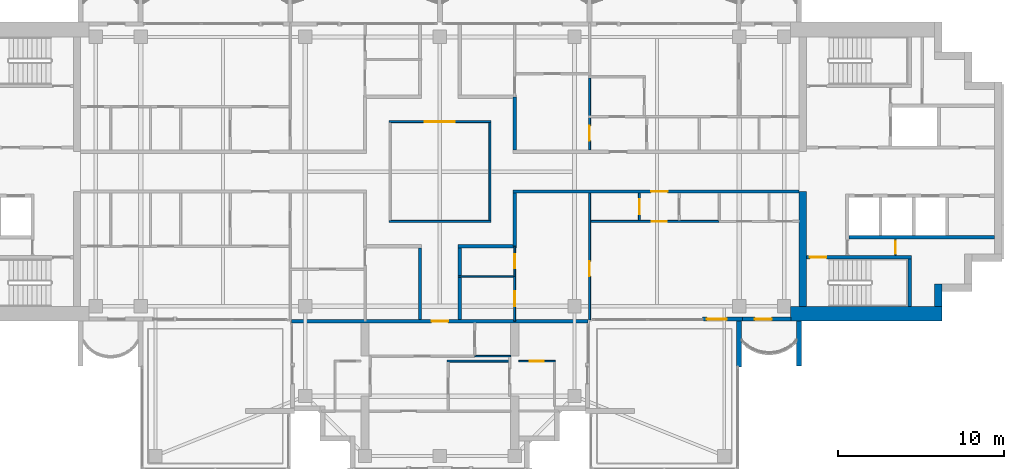
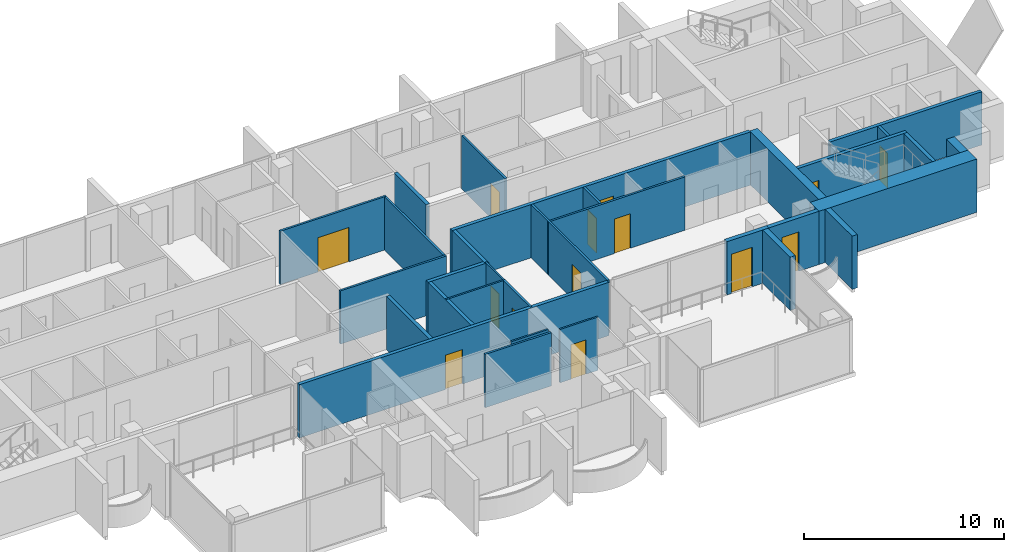
# One storey, part 10 of 17: 31 walls, 14 doors, 14 openings.
"""IFC4 building model written with IfcOpenShell, lengths in metres."""

from ifc_helpers import new_model, si_unit, direction, frame, frame_2d, origin, place, context, subcontext, project, spatial, rectangle, extrude, material, layer, layer_set, type_object, element, fill, save


model = new_model("IFC4")

# Units and contexts
model_context = context("Model", 3, precision=1e-05, world=origin(), true_north=direction((0.0, 1.0)))
body_context = subcontext(model_context, "Body", "Model", "MODEL_VIEW")
ifc_project = project(units=[si_unit("LENGTHUNIT", "METRE"), si_unit("AREAUNIT", "SQUARE_METRE"), si_unit("VOLUMEUNIT", "CUBIC_METRE"), si_unit("PLANEANGLEUNIT", "RADIAN"), si_unit("MASSUNIT", "GRAM", prefix="KILO")], contexts=[model_context])

# Site, building, storey
site_placement = place(None, origin())
site = spatial("IfcSite", under=ifc_project, at=site_placement, CompositionType="ELEMENT")
building_placement = place(site_placement, origin())
building = spatial("IfcBuilding", under=site, at=building_placement, Name="Perihelion Cross Residences", CompositionType="ELEMENT")
storey_placement = place(building_placement, frame((0.0, 0.0, 278.0)))
storey = spatial("IfcBuildingStorey", under=building, at=storey_placement, Name="L71", CompositionType="ELEMENT", Elevation=278.0)

# Wall
ifc_material_1 = material(Name="Plasterboard partition")
ifc_layer_1 = layer(ifc_material_1, 0.199951171875)
ifc_layer_set_1 = layer_set([ifc_layer_1], Name="Apartment separation wall 200")
wall_type_1 = type_object("IfcWallType", Name="Apartment separation wall 200", PredefinedType="PARTITIONING", material=ifc_layer_set_1)
wall_1_placement = place(storey_placement, frame((4.5, 4.5, 0.0), z_axis=(0.0, 0.0, 1.0), x_axis=(0.0, -1.0, 0.0)))
element("IfcWall", 1, at=wall_1_placement, inside=storey, type_object=wall_type_1, Name="Partition L71 W006", PredefinedType="PARTITIONING", context=body_context, shape_type="SweptSolid", body=[
    extrude(rectangle(XDim=3.199951171875, YDim=0.199951171875, at=frame_2d((1.60009765625, 0.0))), origin(), (0.0, 0.0, 1.0), 3.25),
])

# Wall, opening, door
wall_2_placement = place(storey_placement, frame((21.60009765625, -1.199951171875, 0.0), z_axis=(0.0, 0.0, 1.0), x_axis=(-1.0, 0.0, 0.0)))
wall_2 = element("IfcWall", 2, at=wall_2_placement, inside=storey, type_object=wall_type_1, Name="Partition L71 W009", PredefinedType="PARTITIONING", context=body_context, shape_type="SweptSolid", body=[
    extrude(rectangle(XDim=17.2001953125, YDim=0.199951171875, at=frame_2d((8.60009765625, 0.0))), origin(), (0.0, 0.0, 1.0), 3.25),
])
opening_1_placement = place(wall_2_placement, frame((7.89990234375, 0.0, 0.0)))
opening_1 = element("IfcOpeningElement", 3, at=opening_1_placement, cuts=wall_2, Name="Opening L71.A43", PredefinedType="OPENING", context=body_context, shape_type="SweptSolid", body=[
    extrude(rectangle(XDim=1.0, YDim=2.10009765625, at=frame_2d((0.5, 1.050048828125))), frame((0.0, 0.10986328125, 0.0), z_axis=(0.0, -1.0, 0.0), x_axis=(1.0, 0.0, 0.0)), (0.0, 0.0, 1.0), 0.219970703125),
])
ifc_material_2 = material(Name="Timber door leaf", Category="wood")
door_type_1 = type_object("IfcDoorType", Name="Flat entrance door 1000 x 2100", OperationType="SINGLE_SWING_LEFT", PredefinedType="DOOR", material=ifc_material_2)
door_1_placement = place(opening_1_placement, origin())
door_1 = element("IfcDoor", 4, at=door_1_placement, inside=storey, type_object=door_type_1, Name="Door L71.A43", OperationType="SINGLE_SWING_LEFT", OverallHeight=2.10009765625, OverallWidth=1.0, PredefinedType="DOOR", context=body_context, shape_type="SweptSolid", body=[
    extrude(rectangle(XDim=1.0, YDim=2.10009765625, at=frame_2d((0.5, 1.050048828125))), frame((0.0, 0.02490234375, 0.0), z_axis=(0.0, -1.0, 0.0), x_axis=(1.0, 0.0, 0.0)), (0.0, 0.0, 1.0), 0.050048828125),
])
fill(opening_1, door_1)

# Walls
wall_3_placement = place(storey_placement, frame((4.5, -1.300048828125, 0.0), z_axis=(0.0, 0.0, 1.0), x_axis=(0.0, -1.0, 0.0)))
element("IfcWall", 5, at=wall_3_placement, inside=storey, type_object=wall_type_1, Name="Partition L71 W010", PredefinedType="PARTITIONING", context=body_context, shape_type="SweptSolid", body=[
    extrude(rectangle(XDim=3.199951171875, YDim=0.199951171875, at=frame_2d((1.60009765625, 0.0))), origin(), (0.0, 0.0, 1.0), 3.25),
])
wall_4_placement = place(storey_placement, frame((4.60009765625, -4.5, 0.0), z_axis=(0.0, 0.0, 1.0), x_axis=(-1.0, 0.0, 0.0)))
element("IfcWall", 6, at=wall_4_placement, inside=storey, type_object=wall_type_1, Name="Partition L71 W011", PredefinedType="PARTITIONING", context=body_context, shape_type="SweptSolid", body=[
    extrude(rectangle(XDim=3.5, YDim=0.199951171875, at=frame_2d((1.75, 0.0))), origin(), (0.0, 0.0, 1.0), 3.25),
])
for number, where, z_axis, x_axis, name in (
    (7, (1.199951171875, -4.60009765625, 0.0), (0.0, 0.0, 1.0), (0.0, -1.0, 0.0), "Partition L71 W012"),
    (8, (-1.199951171875, -8.89990234375, 0.0), (0.0, 0.0, 1.0), (0.0, 1.0, 0.0), "Partition L71 W019"),
):
    element("IfcWall", number, at=place(storey_placement, frame(where, z_axis=z_axis, x_axis=x_axis)), inside=storey, type_object=wall_type_1, Name=name, PredefinedType="PARTITIONING", context=body_context, shape_type="SweptSolid", body=[
        extrude(rectangle(XDim=4.2998046875, YDim=0.199951171875, at=frame_2d((2.14990234375, 0.0))), origin(), (0.0, 0.0, 1.0), 3.25),
    ])

# Wall, opening, door
wall_5_placement = place(storey_placement, frame((8.919921875, -9.0, 0.0), z_axis=(0.0, 0.0, 1.0), x_axis=(-1.0, 0.0, 0.0)))
wall_5 = element("IfcWall", 9, at=wall_5_placement, inside=storey, type_object=wall_type_1, Name="Partition L71 W021", PredefinedType="PARTITIONING", context=body_context, shape_type="SweptSolid", body=[
    extrude(rectangle(XDim=17.83984375, YDim=0.199951171875, at=frame_2d((8.919921875, 0.0))), origin(), (0.0, 0.0, 1.0), 3.25),
])
opening_2_placement = place(wall_5_placement, frame((8.419921875, 0.0, 0.0)))
opening_2 = element("IfcOpeningElement", 10, at=opening_2_placement, cuts=wall_5, Name="Opening L71.A35", PredefinedType="OPENING", context=body_context, shape_type="SweptSolid", body=[
    extrude(rectangle(XDim=1.0, YDim=2.10009765625, at=frame_2d((0.5, 1.050048828125))), frame((0.0, 0.10986328125, 0.0), z_axis=(0.0, -1.0, 0.0), x_axis=(1.0, 0.0, 0.0)), (0.0, 0.0, 1.0), 0.219970703125),
])
door_2_placement = place(opening_2_placement, origin())
door_2 = element("IfcDoor", 11, at=door_2_placement, inside=storey, type_object=door_type_1, Name="Door L71.A35", OperationType="SINGLE_SWING_LEFT", OverallHeight=2.10009765625, OverallWidth=1.0, PredefinedType="DOOR", context=body_context, shape_type="SweptSolid", body=[
    extrude(rectangle(XDim=1.0, YDim=2.10009765625, at=frame_2d((0.5, 1.050048828125))), frame((0.0, 0.02490234375, 0.0), z_axis=(0.0, -1.0, 0.0), x_axis=(1.0, 0.0, 0.0)), (0.0, 0.0, 1.0), 0.050048828125),
])
fill(opening_2, door_2)

ifc_material_3 = material(Name="Concrete C30/37, bronze-clad", Category="concrete")
ifc_layer_2 = layer(ifc_material_3, 0.25)
ifc_layer_set_2 = layer_set([ifc_layer_2], Name="Bronze-clad pier wall 250")
wall_type_2 = type_object("IfcWallType", Name="Bronze-clad pier wall 250", PredefinedType="SOLIDWALL", material=ifc_layer_set_2)
wall_6_placement = place(storey_placement, frame((15.800048828125, -8.875, 0.0), z_axis=(0.0, 0.0, 1.0), x_axis=(1.0, 0.0, 0.0)))
wall_6 = element("IfcWall", 12, at=wall_6_placement, inside=storey, type_object=wall_type_2, Name="Wall FW1 L71 east side south bay 1 pier", PredefinedType="SOLIDWALL", context=body_context, shape_type="SweptSolid", body=[
    extrude(rectangle(XDim=2.39990234375, YDim=0.25, at=frame_2d((1.199951171875, 0.0))), origin(), (0.0, 0.0, 1.0), 3.25),
])
opening_3_placement = place(wall_6_placement, frame((0.25, 0.0, 0.0)))
opening_3 = element("IfcOpeningElement", 13, at=opening_3_placement, cuts=wall_6, Name="Opening L71.E13", PredefinedType="OPENING", context=body_context, shape_type="SweptSolid", body=[
    extrude(rectangle(XDim=1.199951171875, YDim=2.39990234375, at=frame_2d((0.60009765625, 1.199951171875))), frame((0.0, 0.135009765625, 0.0), z_axis=(0.0, -1.0, 0.0), x_axis=(1.0, 0.0, 0.0)), (0.0, 0.0, 1.0), 0.27001953125),
])
ifc_material_4 = material(Name="Bronze anodised aluminium, glazed", Category="aluminium")
door_type_2 = type_object("IfcDoorType", Name="Balcony door 1200 x 2400", OperationType="NOTDEFINED", PredefinedType="DOOR", material=ifc_material_4)
door_3_placement = place(opening_3_placement, origin())
door_3 = element("IfcDoor", 14, at=door_3_placement, inside=storey, type_object=door_type_2, Name="Door L71.E13 east side south bay 1", OperationType="SINGLE_SWING_LEFT", OverallHeight=2.39990234375, OverallWidth=1.199951171875, PredefinedType="DOOR", context=body_context, shape_type="SweptSolid", body=[
    extrude(rectangle(XDim=1.199951171875, YDim=2.39990234375, at=frame_2d((0.60009765625, 1.199951171875))), frame((0.0, 0.02490234375, 0.0), z_axis=(0.0, -1.0, 0.0), x_axis=(1.0, 0.0, 0.0)), (0.0, 0.0, 1.0), 0.050048828125),
])
fill(opening_3, door_3)

wall_7_placement = place(storey_placement, frame((18.199951171875, -8.875, 0.0), z_axis=(0.0, 0.0, 1.0), x_axis=(1.0, 0.0, 0.0)))
wall_7 = element("IfcWall", 15, at=wall_7_placement, inside=storey, type_object=wall_type_2, Name="Wall FW1 L71 east side south bay 2 pier", PredefinedType="SOLIDWALL", context=body_context, shape_type="SweptSolid", body=[
    extrude(rectangle(XDim=2.900146484375, YDim=0.25, at=frame_2d((1.4501953125, 0.0))), origin(), (0.0, 0.0, 1.0), 3.25),
])
opening_4_placement = place(wall_7_placement, frame((0.75, 0.0, 0.0)))
opening_4 = element("IfcOpeningElement", 16, at=opening_4_placement, cuts=wall_7, Name="Opening L71.E14", PredefinedType="OPENING", context=body_context, shape_type="SweptSolid", body=[
    extrude(rectangle(XDim=1.0, YDim=2.39990234375, at=frame_2d((0.5, 1.199951171875))), frame((0.0, 0.135009765625, 0.0), z_axis=(0.0, -1.0, 0.0), x_axis=(1.0, 0.0, 0.0)), (0.0, 0.0, 1.0), 0.27001953125),
])
ifc_material_5 = material(Name="Bronze anodised aluminium, glazed", Category="aluminium")
door_type_3 = type_object("IfcDoorType", Name="Balcony door 1000 x 2400", OperationType="NOTDEFINED", PredefinedType="DOOR", material=ifc_material_5)
door_4_placement = place(opening_4_placement, origin())
door_4 = element("IfcDoor", 17, at=door_4_placement, inside=storey, type_object=door_type_3, Name="Door L71.E14 east side south bay 2", OperationType="SINGLE_SWING_RIGHT", OverallHeight=2.39990234375, OverallWidth=1.0, PredefinedType="DOOR", context=body_context, shape_type="SweptSolid", body=[
    extrude(rectangle(XDim=1.0, YDim=2.39990234375, at=frame_2d((0.5, 1.199951171875))), frame((0.0, 0.02490234375, 0.0), z_axis=(0.0, -1.0, 0.0), x_axis=(1.0, 0.0, 0.0)), (0.0, 0.0, 1.0), 0.050048828125),
])
fill(opening_4, door_4)

# Walls
ifc_material_6 = material(Name="Concrete C60/75", Category="concrete")
ifc_layer_3 = layer(ifc_material_6, 0.449951171875)
ifc_layer_set_3 = layer_set([ifc_layer_3], Name="Core wall, inner 450")
wall_type_3 = type_object("IfcWallType", Name="Core wall, inner 450", PredefinedType="SHEAR", material=ifc_layer_set_3)
wall_8_placement = place(storey_placement, frame((21.824951171875, -8.10009765625, 0.0), z_axis=(0.0, 0.0, 1.0), x_axis=(0.0, 1.0, 0.0)))
element("IfcWall", 18, at=wall_8_placement, inside=storey, type_object=wall_type_3, Name="East core core wall, inner", PredefinedType="SHEAR", context=body_context, shape_type="SweptSolid", body=[
    extrude(rectangle(XDim=6.900146484375, YDim=0.449951171875, at=frame_2d((3.4501953125, 0.0))), origin(), (0.0, 0.0, 1.0), 3.25),
])
ifc_material_7 = material(Name="Concrete C60/75", Category="concrete")
ifc_layer_4 = layer(ifc_material_7, 0.449951171875)
ifc_layer_set_4 = layer_set([ifc_layer_4], Name="Core wall, outer 450")
wall_type_4 = type_object("IfcWallType", Name="Core wall, outer 450", PredefinedType="SHEAR", material=ifc_layer_set_4)
wall_9_placement = place(storey_placement, frame((29.97509765625, -8.10009765625, 0.0), z_axis=(0.0, 0.0, 1.0), x_axis=(0.0, 1.0, 0.0)))
element("IfcWall", 19, at=wall_9_placement, inside=storey, type_object=wall_type_4, Name="East core core wall, outer", PredefinedType="SHEAR", context=body_context, shape_type="SweptSolid", body=[
    extrude(rectangle(XDim=1.35009765625, YDim=0.449951171875, at=frame_2d((0.675048828125, 0.0))), origin(), (0.0, 0.0, 1.0), 3.25),
])
ifc_material_8 = material(Name="Concrete C60/75", Category="concrete")
ifc_layer_5 = layer(ifc_material_8, 0.89990234375)
ifc_layer_set_5 = layer_set([ifc_layer_5], Name="Core wall, outer 900")
wall_type_5 = type_object("IfcWallType", Name="Core wall, outer 900", PredefinedType="SHEAR", material=ifc_layer_set_5)
wall_10_placement = place(storey_placement, frame((21.10009765625, -8.550048828125, 0.0), z_axis=(0.0, 0.0, 1.0), x_axis=(1.0, 0.0, 0.0)))
element("IfcWall", 20, at=wall_10_placement, inside=storey, type_object=wall_type_5, Name="East core core wall, outer", PredefinedType="SHEAR", context=body_context, shape_type="SweptSolid", body=[
    extrude(rectangle(XDim=9.099853515625, YDim=0.89990234375, at=frame_2d((4.5498046875, 0.0))), origin(), (0.0, 0.0, 1.0), 3.25),
])
ifc_material_9 = material(Name="Plasterboard partition")
ifc_layer_6 = layer(ifc_material_9, 0.1201171875)
ifc_layer_set_6 = layer_set([ifc_layer_6], Name="Partition wall 120")
wall_type_6 = type_object("IfcWallType", Name="Partition wall 120", PredefinedType="PARTITIONING", material=ifc_layer_set_6)
wall_11_placement = place(storey_placement, frame((-3.06005859375, -3.0, 0.0), z_axis=(0.0, 0.0, 1.0), x_axis=(1.0, 0.0, 0.0)))
element("IfcWall", 21, at=wall_11_placement, inside=storey, type_object=wall_type_6, Name="Partition L71 W001", PredefinedType="PARTITIONING", context=body_context, shape_type="SweptSolid", body=[
    extrude(rectangle(XDim=6.1201171875, YDim=0.1201171875, at=frame_2d((3.06005859375, 0.0))), origin(), (0.0, 0.0, 1.0), 3.25),
])
wall_12_placement = place(storey_placement, frame((3.0, -2.93994140625, 0.0), z_axis=(0.0, 0.0, 1.0), x_axis=(0.0, 1.0, 0.0)))
element("IfcWall", 22, at=wall_12_placement, inside=storey, type_object=wall_type_6, Name="Partition L71 W002", PredefinedType="PARTITIONING", context=body_context, shape_type="SweptSolid", body=[
    extrude(rectangle(XDim=5.8798828125, YDim=0.1201171875, at=frame_2d((2.93994140625, 0.0))), origin(), (0.0, 0.0, 1.0), 3.25),
])

# Wall, opening, door
wall_13_placement = place(storey_placement, frame((3.06005859375, 3.0, 0.0), z_axis=(0.0, 0.0, 1.0), x_axis=(-1.0, 0.0, 0.0)))
wall_13 = element("IfcWall", 23, at=wall_13_placement, inside=storey, type_object=wall_type_6, Name="Partition L71 W003", PredefinedType="PARTITIONING", context=body_context, shape_type="SweptSolid", body=[
    extrude(rectangle(XDim=6.1201171875, YDim=0.1201171875, at=frame_2d((3.06005859375, 0.0))), origin(), (0.0, 0.0, 1.0), 3.25),
])
opening_5_placement = place(wall_13_placement, frame((2.159912109375, 0.0, 0.0)))
opening_5 = element("IfcOpeningElement", 24, at=opening_5_placement, cuts=wall_13, Name="Opening L71.A01", PredefinedType="OPENING", context=body_context, shape_type="SweptSolid", body=[
    extrude(rectangle(XDim=1.800048828125, YDim=2.10009765625, at=frame_2d((0.89990234375, 1.050048828125))), frame((0.0, 0.070068359375, 0.0), z_axis=(0.0, -1.0, 0.0), x_axis=(1.0, 0.0, 0.0)), (0.0, 0.0, 1.0), 0.14013671875),
])
ifc_material_10 = material(Name="Glazed timber door leaf", Category="wood")
door_type_4 = type_object("IfcDoorType", Name="Interior double leaf door 1800 x 2100", OperationType="DOUBLE_DOOR_SINGLE_SWING", PredefinedType="DOOR", material=ifc_material_10)
door_5_placement = place(opening_5_placement, origin())
door_5 = element("IfcDoor", 25, at=door_5_placement, inside=storey, type_object=door_type_4, Name="Door L71.A01", OperationType="SINGLE_SWING_LEFT", OverallHeight=2.10009765625, OverallWidth=1.800048828125, PredefinedType="DOOR", context=body_context, shape_type="SweptSolid", body=[
    extrude(rectangle(XDim=1.800048828125, YDim=2.10009765625, at=frame_2d((0.89990234375, 1.050048828125))), frame((0.0, 0.02490234375, 0.0), z_axis=(0.0, -1.0, 0.0), x_axis=(1.0, 0.0, 0.0)), (0.0, 0.0, 1.0), 0.050048828125),
])
fill(opening_5, door_5)

wall_14_placement = place(storey_placement, frame((9.0, 1.300048828125, 0.0), z_axis=(0.0, 0.0, 1.0), x_axis=(0.0, 1.0, 0.0)))
wall_14 = element("IfcWall", 26, at=wall_14_placement, inside=storey, type_object=wall_type_6, Name="Partition L71 W024", PredefinedType="PARTITIONING", context=body_context, shape_type="SweptSolid", body=[
    extrude(rectangle(XDim=4.33984375, YDim=0.1201171875, at=frame_2d((2.169921875, 0.0))), origin(), (0.0, 0.0, 1.0), 3.25),
])
opening_6_placement = place(wall_14_placement, frame((0.550048828125, 0.0, 0.0)))
opening_6 = element("IfcOpeningElement", 27, at=opening_6_placement, cuts=wall_14, Name="Opening L71.A04", PredefinedType="OPENING", context=body_context, shape_type="SweptSolid", body=[
    extrude(rectangle(XDim=0.89990234375, YDim=2.10009765625, at=frame_2d((0.449951171875, 1.050048828125))), frame((0.0, 0.070068359375, 0.0), z_axis=(0.0, -1.0, 0.0), x_axis=(1.0, 0.0, 0.0)), (0.0, 0.0, 1.0), 0.14013671875),
])
ifc_material_11 = material(Name="Timber door leaf", Category="wood")
door_type_5 = type_object("IfcDoorType", Name="Interior room door 900 x 2100", OperationType="SINGLE_SWING_LEFT", PredefinedType="DOOR", material=ifc_material_11)
door_6_placement = place(opening_6_placement, origin())
door_6 = element("IfcDoor", 28, at=door_6_placement, inside=storey, type_object=door_type_5, Name="Door L71.A04", OperationType="SINGLE_SWING_RIGHT", OverallHeight=2.10009765625, OverallWidth=0.89990234375, PredefinedType="DOOR", context=body_context, shape_type="SweptSolid", body=[
    extrude(rectangle(XDim=0.89990234375, YDim=2.10009765625, at=frame_2d((0.449951171875, 1.050048828125))), frame((0.0, 0.02490234375, 0.0), z_axis=(0.0, -1.0, 0.0), x_axis=(1.0, 0.0, 0.0)), (0.0, 0.0, 1.0), 0.050048828125),
])
fill(opening_6, door_6)

wall_15_placement = place(storey_placement, frame((12.0, -1.300048828125, 0.0), z_axis=(0.0, 0.0, 1.0), x_axis=(0.0, -1.0, 0.0)))
wall_15 = element("IfcWall", 29, at=wall_15_placement, inside=storey, type_object=wall_type_6, Name="Partition L71 W035", PredefinedType="PARTITIONING", context=body_context, shape_type="SweptSolid", body=[
    extrude(rectangle(XDim=1.639892578125, YDim=0.1201171875, at=frame_2d((0.81982421875, 0.0))), origin(), (0.0, 0.0, 1.0), 3.25),
])
opening_7_placement = place(wall_15_placement, frame((0.3701171875, 0.0, 0.0)))
opening_7 = element("IfcOpeningElement", 30, at=opening_7_placement, cuts=wall_15, Name="Opening L71.A12", PredefinedType="OPENING", context=body_context, shape_type="SweptSolid", body=[
    extrude(rectangle(XDim=0.89990234375, YDim=2.10009765625, at=frame_2d((0.449951171875, 1.050048828125))), frame((0.0, 0.070068359375, 0.0), z_axis=(0.0, -1.0, 0.0), x_axis=(1.0, 0.0, 0.0)), (0.0, 0.0, 1.0), 0.14013671875),
])
door_7_placement = place(opening_7_placement, origin())
door_7 = element("IfcDoor", 31, at=door_7_placement, inside=storey, type_object=door_type_5, Name="Door L71.A12", OperationType="SINGLE_SWING_LEFT", OverallHeight=2.10009765625, OverallWidth=0.89990234375, PredefinedType="DOOR", context=body_context, shape_type="SweptSolid", body=[
    extrude(rectangle(XDim=0.89990234375, YDim=2.10009765625, at=frame_2d((0.449951171875, 1.050048828125))), frame((0.0, 0.02490234375, 0.0), z_axis=(0.0, -1.0, 0.0), x_axis=(1.0, 0.0, 0.0)), (0.0, 0.0, 1.0), 0.050048828125),
])
fill(opening_7, door_7)

wall_16_placement = place(storey_placement, frame((16.800048828125, -3.0, 0.0), z_axis=(0.0, 0.0, 1.0), x_axis=(-1.0, 0.0, 0.0)))
wall_16 = element("IfcWall", 32, at=wall_16_placement, inside=storey, type_object=wall_type_6, Name="Partition L71 W036", PredefinedType="PARTITIONING", context=body_context, shape_type="SweptSolid", body=[
    extrude(rectangle(XDim=7.860107421875, YDim=0.1201171875, at=frame_2d((3.93017578125, 0.0))), origin(), (0.0, 0.0, 1.0), 3.25),
])
opening_8_placement = place(wall_16_placement, frame((3.14990234375, 0.0, 0.0)))
opening_8 = element("IfcOpeningElement", 33, at=opening_8_placement, cuts=wall_16, Name="Opening L71.A17", PredefinedType="OPENING", context=body_context, shape_type="SweptSolid", body=[
    extrude(rectangle(XDim=0.89990234375, YDim=2.10009765625, at=frame_2d((0.449951171875, 1.050048828125))), frame((0.0, 0.070068359375, 0.0), z_axis=(0.0, -1.0, 0.0), x_axis=(1.0, 0.0, 0.0)), (0.0, 0.0, 1.0), 0.14013671875),
])
door_8_placement = place(opening_8_placement, origin())
door_8 = element("IfcDoor", 34, at=door_8_placement, inside=storey, type_object=door_type_5, Name="Door L71.A17", OperationType="SINGLE_SWING_RIGHT", OverallHeight=2.10009765625, OverallWidth=0.89990234375, PredefinedType="DOOR", context=body_context, shape_type="SweptSolid", body=[
    extrude(rectangle(XDim=0.89990234375, YDim=2.10009765625, at=frame_2d((0.449951171875, 1.050048828125))), frame((0.0, 0.02490234375, 0.0), z_axis=(0.0, -1.0, 0.0), x_axis=(1.0, 0.0, 0.0)), (0.0, 0.0, 1.0), 0.050048828125),
])
fill(opening_8, door_8)

wall_17_placement = place(storey_placement, frame((9.0, -8.919921875, 0.0), z_axis=(0.0, 0.0, 1.0), x_axis=(0.0, 1.0, 0.0)))
wall_17 = element("IfcWall", 35, at=wall_17_placement, inside=storey, type_object=wall_type_6, Name="Partition L71 W037", PredefinedType="PARTITIONING", context=body_context, shape_type="SweptSolid", body=[
    extrude(rectangle(XDim=7.619873046875, YDim=0.1201171875, at=frame_2d((3.81005859375, 0.0))), origin(), (0.0, 0.0, 1.0), 3.25),
])
opening_9_placement = place(wall_17_placement, frame((2.6201171875, 0.0, 0.0)))
opening_9 = element("IfcOpeningElement", 36, at=opening_9_placement, cuts=wall_17, Name="Opening L71.A14", PredefinedType="OPENING", context=body_context, shape_type="SweptSolid", body=[
    extrude(rectangle(XDim=0.89990234375, YDim=2.10009765625, at=frame_2d((0.449951171875, 1.050048828125))), frame((0.0, 0.070068359375, 0.0), z_axis=(0.0, -1.0, 0.0), x_axis=(1.0, 0.0, 0.0)), (0.0, 0.0, 1.0), 0.14013671875),
])
door_9_placement = place(opening_9_placement, origin())
door_9 = element("IfcDoor", 37, at=door_9_placement, inside=storey, type_object=door_type_5, Name="Door L71.A14", OperationType="SINGLE_SWING_RIGHT", OverallHeight=2.10009765625, OverallWidth=0.89990234375, PredefinedType="DOOR", context=body_context, shape_type="SweptSolid", body=[
    extrude(rectangle(XDim=0.89990234375, YDim=2.10009765625, at=frame_2d((0.449951171875, 1.050048828125))), frame((0.0, 0.02490234375, 0.0), z_axis=(0.0, -1.0, 0.0), x_axis=(1.0, 0.0, 0.0)), (0.0, 0.0, 1.0), 0.050048828125),
])
fill(opening_9, door_9)

wall_18_placement = place(storey_placement, frame((4.5, -9.0, 0.0), z_axis=(0.0, 0.0, 1.0), x_axis=(0.0, 1.0, 0.0)))
wall_18 = element("IfcWall", 38, at=wall_18_placement, inside=storey, type_object=wall_type_6, Name="Partition L71 W044", PredefinedType="PARTITIONING", context=body_context, shape_type="SweptSolid", body=[
    extrude(rectangle(XDim=2.699951171875, YDim=0.1201171875, at=frame_2d((1.35009765625, 0.0))), origin(), (0.0, 0.0, 1.0), 3.25),
])
opening_10_placement = place(wall_18_placement, frame((0.89990234375, 0.0, 0.0)))
opening_10 = element("IfcOpeningElement", 39, at=opening_10_placement, cuts=wall_18, Name="Opening L71.A15", PredefinedType="OPENING", context=body_context, shape_type="SweptSolid", body=[
    extrude(rectangle(XDim=0.89990234375, YDim=2.10009765625, at=frame_2d((0.449951171875, 1.050048828125))), frame((0.0, 0.070068359375, 0.0), z_axis=(0.0, -1.0, 0.0), x_axis=(1.0, 0.0, 0.0)), (0.0, 0.0, 1.0), 0.14013671875),
])
door_10_placement = place(opening_10_placement, origin())
door_10 = element("IfcDoor", 40, at=door_10_placement, inside=storey, type_object=door_type_5, Name="Door L71.A15", OperationType="SINGLE_SWING_RIGHT", OverallHeight=2.10009765625, OverallWidth=0.89990234375, PredefinedType="DOOR", context=body_context, shape_type="SweptSolid", body=[
    extrude(rectangle(XDim=0.89990234375, YDim=2.10009765625, at=frame_2d((0.449951171875, 1.050048828125))), frame((0.0, 0.02490234375, 0.0), z_axis=(0.0, -1.0, 0.0), x_axis=(1.0, 0.0, 0.0)), (0.0, 0.0, 1.0), 0.050048828125),
])
fill(opening_10, door_10)

# Walls
wall_19_placement = place(storey_placement, frame((4.25, -11.39990234375, 0.0), z_axis=(0.0, 0.0, 1.0), x_axis=(-1.0, 0.0, 0.0)))
element("IfcWall", 41, at=wall_19_placement, inside=storey, type_object=wall_type_6, Name="Partition L71 W070", PredefinedType="PARTITIONING", context=body_context, shape_type="SweptSolid", body=[
    extrude(rectangle(XDim=3.81005859375, YDim=0.1201171875, at=frame_2d((1.905029296875, 0.0))), origin(), (0.0, 0.0, 1.0), 3.25),
])
ifc_material_12 = material(Name="Precast concrete C50/60", Category="concrete")
ifc_layer_7 = layer(ifc_material_12, 0.300048828125)
ifc_layer_set_7 = layer_set([ifc_layer_7], Name="Precast concrete C50/60 blade wall 300")
wall_type_7 = type_object("IfcWallType", Name="Precast concrete C50/60 blade wall 300", PredefinedType="SOLIDWALL", material=ifc_layer_set_7)
wall_20_placement = place(storey_placement, frame((18.0, -9.0, 0.0), z_axis=(0.0, 0.0, 1.0), x_axis=(0.0, -1.0, 0.0)))
element("IfcWall", 42, at=wall_20_placement, inside=storey, type_object=wall_type_7, Name="Wall BL1 L71 no. 10", PredefinedType="SOLIDWALL", context=body_context, shape_type="SweptSolid", body=[
    extrude(rectangle(XDim=2.739990234375, YDim=0.300048828125, at=frame_2d((1.3701171875, 0.0))), origin(), (0.0, 0.0, 1.0), 3.25),
])
wall_21_placement = place(storey_placement, frame((21.60009765625, -9.0, 0.0), z_axis=(0.0, 0.0, 1.0), x_axis=(0.0, -1.0, 0.0)))
element("IfcWall", 43, at=wall_21_placement, inside=storey, type_object=wall_type_7, Name="Wall BL1 L71 no. 12", PredefinedType="SOLIDWALL", context=body_context, shape_type="SweptSolid", body=[
    extrude(rectangle(XDim=2.699951171875, YDim=0.300048828125, at=frame_2d((1.35009765625, 0.0))), origin(), (0.0, 0.0, 1.0), 3.25),
])

# Wall, opening, door
ifc_material_13 = material(Name="Fire-rated board on steel stud", Category="steel")
ifc_layer_8 = layer(ifc_material_13, 0.14990234375)
ifc_layer_set_8 = layer_set([ifc_layer_8], Name="Riser wall 150")
wall_type_8 = type_object("IfcWallType", Name="Riser wall 150", PredefinedType="PARTITIONING", material=ifc_layer_set_8)
wall_22_placement = place(storey_placement, frame((27.39990234375, -5.050048828125, 0.0), z_axis=(0.0, 0.0, 1.0), x_axis=(0.0, 1.0, 0.0)))
wall_22 = element("IfcWall", 44, at=wall_22_placement, inside=storey, type_object=wall_type_8, Name="East core riser wall", PredefinedType="PARTITIONING", context=body_context, shape_type="SweptSolid", body=[
    extrude(rectangle(XDim=1.0, YDim=0.14990234375, at=frame_2d((0.5, 0.0))), origin(), (0.0, 0.0, 1.0), 3.25),
])
opening_11_placement = place(wall_22_placement, frame((0.10009765625, 0.0, 0.0)))
opening_11 = element("IfcOpeningElement", 45, at=opening_11_placement, cuts=wall_22, Name="Opening L71.C11", PredefinedType="OPENING", context=body_context, shape_type="SweptSolid", body=[
    extrude(rectangle(XDim=0.800048828125, YDim=2.10009765625, at=frame_2d((0.39990234375, 1.050048828125))), frame((0.0, 0.0849609375, 0.0), z_axis=(0.0, -1.0, 0.0), x_axis=(1.0, 0.0, 0.0)), (0.0, 0.0, 1.0), 0.169921875),
])
ifc_material_14 = material(Name="Steel, powder coated", Category="steel")
door_type_6 = type_object("IfcDoorType", Name="Riser door 800", OperationType="SINGLE_SWING_LEFT", PredefinedType="DOOR", material=ifc_material_14)
door_11_placement = place(opening_11_placement, origin())
door_11 = element("IfcDoor", 46, at=door_11_placement, inside=storey, type_object=door_type_6, Name="East core riser door", OperationType="SINGLE_SWING_LEFT", OverallHeight=2.10009765625, OverallWidth=0.800048828125, PredefinedType="DOOR", context=body_context, shape_type="SweptSolid", body=[
    extrude(rectangle(XDim=0.800048828125, YDim=2.10009765625, at=frame_2d((0.39990234375, 1.050048828125))), frame((0.0, 0.02490234375, 0.0), z_axis=(0.0, -1.0, 0.0), x_axis=(1.0, 0.0, 0.0)), (0.0, 0.0, 1.0), 0.050048828125),
])
fill(opening_11, door_11)

# Wall
ifc_material_15 = material(Name="Concrete C50/60", Category="concrete")
ifc_layer_9 = layer(ifc_material_15, 0.199951171875)
ifc_layer_set_9 = layer_set([ifc_layer_9], Name="Shaft wall 200")
wall_type_9 = type_object("IfcWallType", Name="Shaft wall 200", PredefinedType="SOLIDWALL", material=ifc_layer_set_9)
wall_23_placement = place(storey_placement, frame((24.60009765625, -3.949951171875, 0.0), z_axis=(0.0, 0.0, 1.0), x_axis=(1.0, 0.0, 0.0)))
element("IfcWall", 47, at=wall_23_placement, inside=storey, type_object=wall_type_9, Name="East core shaft wall", PredefinedType="SOLIDWALL", context=body_context, shape_type="SweptSolid", body=[
    extrude(rectangle(XDim=8.75, YDim=0.199951171875, at=frame_2d((4.375, 0.0))), origin(), (0.0, 0.0, 1.0), 3.25),
])

# Wall, opening, door
ifc_material_16 = material(Name="Concrete C50/60", Category="concrete")
ifc_layer_10 = layer(ifc_material_16, 0.199951171875)
ifc_layer_set_10 = layer_set([ifc_layer_10], Name="Stair wall 200")
wall_type_10 = type_object("IfcWallType", Name="Stair wall 200", PredefinedType="SOLIDWALL", material=ifc_layer_set_10)
wall_24_placement = place(storey_placement, frame((22.050048828125, -5.14990234375, 0.0), z_axis=(0.0, 0.0, 1.0), x_axis=(1.0, 0.0, 0.0)))
wall_24 = element("IfcWall", 48, at=wall_24_placement, inside=storey, type_object=wall_type_10, Name="East core stair wall", PredefinedType="SOLIDWALL", context=body_context, shape_type="SweptSolid", body=[
    extrude(rectangle(XDim=6.300048828125, YDim=0.199951171875, at=frame_2d((3.14990234375, 0.0))), origin(), (0.0, 0.0, 1.0), 3.25),
])
opening_12_placement = place(wall_24_placement, frame((0.199951171875, 0.0, 0.0)))
opening_12 = element("IfcOpeningElement", 49, at=opening_12_placement, cuts=wall_24, Name="Opening L71.C05", PredefinedType="OPENING", context=body_context, shape_type="SweptSolid", body=[
    extrude(rectangle(XDim=1.0, YDim=2.10009765625, at=frame_2d((0.5, 1.050048828125))), frame((0.0, 0.10986328125, 0.0), z_axis=(0.0, -1.0, 0.0), x_axis=(1.0, 0.0, 0.0)), (0.0, 0.0, 1.0), 0.219970703125),
])
ifc_material_17 = material(Name="Steel, powder coated", Category="steel")
door_type_7 = type_object("IfcDoorType", Name="Stair door 1000", OperationType="SINGLE_SWING_LEFT", PredefinedType="DOOR", material=ifc_material_17)
door_12_placement = place(opening_12_placement, origin())
door_12 = element("IfcDoor", 50, at=door_12_placement, inside=storey, type_object=door_type_7, Name="East core stair door", OperationType="SINGLE_SWING_LEFT", OverallHeight=2.10009765625, OverallWidth=1.0, PredefinedType="DOOR", context=body_context, shape_type="SweptSolid", body=[
    extrude(rectangle(XDim=1.0, YDim=2.10009765625, at=frame_2d((0.5, 1.050048828125))), frame((0.0, 0.02490234375, 0.0), z_axis=(0.0, -1.0, 0.0), x_axis=(1.0, 0.0, 0.0)), (0.0, 0.0, 1.0), 0.050048828125),
])
fill(opening_12, door_12)

# Wall
wall_25_placement = place(storey_placement, frame((28.25, -8.10009765625, 0.0), z_axis=(0.0, 0.0, 1.0), x_axis=(0.0, 1.0, 0.0)))
element("IfcWall", 51, at=wall_25_placement, inside=storey, type_object=wall_type_10, Name="East core stair wall", PredefinedType="SOLIDWALL", context=body_context, shape_type="SweptSolid", body=[
    extrude(rectangle(XDim=2.85009765625, YDim=0.199951171875, at=frame_2d((1.425048828125, 0.0))), origin(), (0.0, 0.0, 1.0), 3.25),
])

# Wall, opening, door
ifc_material_18 = material(Name="Plasterboard partition")
ifc_layer_11 = layer(ifc_material_18, 0.10009765625)
ifc_layer_set_11 = layer_set([ifc_layer_11], Name="Wet room wall 100")
wall_type_11 = type_object("IfcWallType", Name="Wet room wall 100", PredefinedType="PARTITIONING", material=ifc_layer_set_11)
wall_26_placement = place(storey_placement, frame((4.5, -6.300048828125, 0.0), z_axis=(0.0, 0.0, 1.0), x_axis=(0.0, 1.0, 0.0)))
wall_26 = element("IfcWall", 52, at=wall_26_placement, inside=storey, type_object=wall_type_11, Name="Partition L71 W043", PredefinedType="PARTITIONING", context=body_context, shape_type="SweptSolid", body=[
    extrude(rectangle(XDim=1.800048828125, YDim=0.10009765625, at=frame_2d((0.89990234375, 0.0))), origin(), (0.0, 0.0, 1.0), 3.25),
])
opening_13_placement = place(wall_26_placement, frame((0.47509765625, 0.0, 0.0)))
opening_13 = element("IfcOpeningElement", 53, at=opening_13_placement, cuts=wall_26, Name="Opening L71.A16", PredefinedType="OPENING", context=body_context, shape_type="SweptSolid", body=[
    extrude(rectangle(XDim=0.85009765625, YDim=2.10009765625, at=frame_2d((0.425048828125, 1.050048828125))), frame((0.0, 0.06005859375, 0.0), z_axis=(0.0, -1.0, 0.0), x_axis=(1.0, 0.0, 0.0)), (0.0, 0.0, 1.0), 0.1201171875),
])
ifc_material_19 = material(Name="Timber door leaf", Category="wood")
door_type_8 = type_object("IfcDoorType", Name="Interior bathroom door 850 x 2100", OperationType="SINGLE_SWING_LEFT", PredefinedType="DOOR", material=ifc_material_19)
door_13_placement = place(opening_13_placement, origin())
door_13 = element("IfcDoor", 54, at=door_13_placement, inside=storey, type_object=door_type_8, Name="Door L71.A16", OperationType="SINGLE_SWING_LEFT", OverallHeight=2.10009765625, OverallWidth=0.85009765625, PredefinedType="DOOR", context=body_context, shape_type="SweptSolid", body=[
    extrude(rectangle(XDim=0.85009765625, YDim=2.10009765625, at=frame_2d((0.425048828125, 1.050048828125))), frame((0.0, 0.02490234375, 0.0), z_axis=(0.0, -1.0, 0.0), x_axis=(1.0, 0.0, 0.0)), (0.0, 0.0, 1.0), 0.050048828125),
])
fill(opening_13, door_13)

# Walls
wall_27_placement = place(storey_placement, frame((4.56005859375, -6.300048828125, 0.0), z_axis=(0.0, 0.0, 1.0), x_axis=(-1.0, 0.0, 0.0)))
element("IfcWall", 55, at=wall_27_placement, inside=storey, type_object=wall_type_11, Name="Partition L71 W045", PredefinedType="PARTITIONING", context=body_context, shape_type="SweptSolid", body=[
    extrude(rectangle(XDim=3.4599609375, YDim=0.10009765625, at=frame_2d((1.72998046875, 0.0))), origin(), (0.0, 0.0, 1.0), 3.25),
])
wall_28_placement = place(storey_placement, frame((4.25, -11.10009765625, 0.0), z_axis=(0.0, 0.0, 1.0), x_axis=(-1.0, 0.0, 0.0)))
element("IfcWall", 56, at=wall_28_placement, inside=storey, type_object=wall_type_11, Name="Partition L71 W069", PredefinedType="PARTITIONING", context=body_context, shape_type="SweptSolid", body=[
    extrude(rectangle(XDim=2.14990234375, YDim=0.10009765625, at=frame_2d((1.074951171875, 0.0))), origin(), (0.0, 0.0, 1.0), 3.25),
])

# Wall, opening, door
wall_29_placement = place(storey_placement, frame((6.949951171875, -11.39990234375, 0.0), z_axis=(0.0, 0.0, 1.0), x_axis=(-1.0, 0.0, 0.0)))
wall_29 = element("IfcWall", 57, at=wall_29_placement, inside=storey, type_object=wall_type_11, Name="Partition L71 W074", PredefinedType="PARTITIONING", context=body_context, shape_type="SweptSolid", body=[
    extrude(rectangle(XDim=2.199951171875, YDim=0.10009765625, at=frame_2d((1.10009765625, 0.0))), origin(), (0.0, 0.0, 1.0), 3.25),
])
opening_14_placement = place(wall_29_placement, frame((0.699951171875, 0.0, 0.0)))
opening_14 = element("IfcOpeningElement", 58, at=opening_14_placement, cuts=wall_29, Name="Opening L71.A40", PredefinedType="OPENING", context=body_context, shape_type="SweptSolid", body=[
    extrude(rectangle(XDim=0.85009765625, YDim=2.10009765625, at=frame_2d((0.425048828125, 1.050048828125))), frame((0.0, 0.06005859375, 0.0), z_axis=(0.0, -1.0, 0.0), x_axis=(1.0, 0.0, 0.0)), (0.0, 0.0, 1.0), 0.1201171875),
])
door_14_placement = place(opening_14_placement, origin())
door_14 = element("IfcDoor", 59, at=door_14_placement, inside=storey, type_object=door_type_8, Name="Door L71.A40", OperationType="SINGLE_SWING_RIGHT", OverallHeight=2.10009765625, OverallWidth=0.85009765625, PredefinedType="DOOR", context=body_context, shape_type="SweptSolid", body=[
    extrude(rectangle(XDim=0.85009765625, YDim=2.10009765625, at=frame_2d((0.425048828125, 1.050048828125))), frame((0.0, 0.02490234375, 0.0), z_axis=(0.0, -1.0, 0.0), x_axis=(1.0, 0.0, 0.0)), (0.0, 0.0, 1.0), 0.050048828125),
])
fill(opening_14, door_14)

save(model, "model.ifc")
